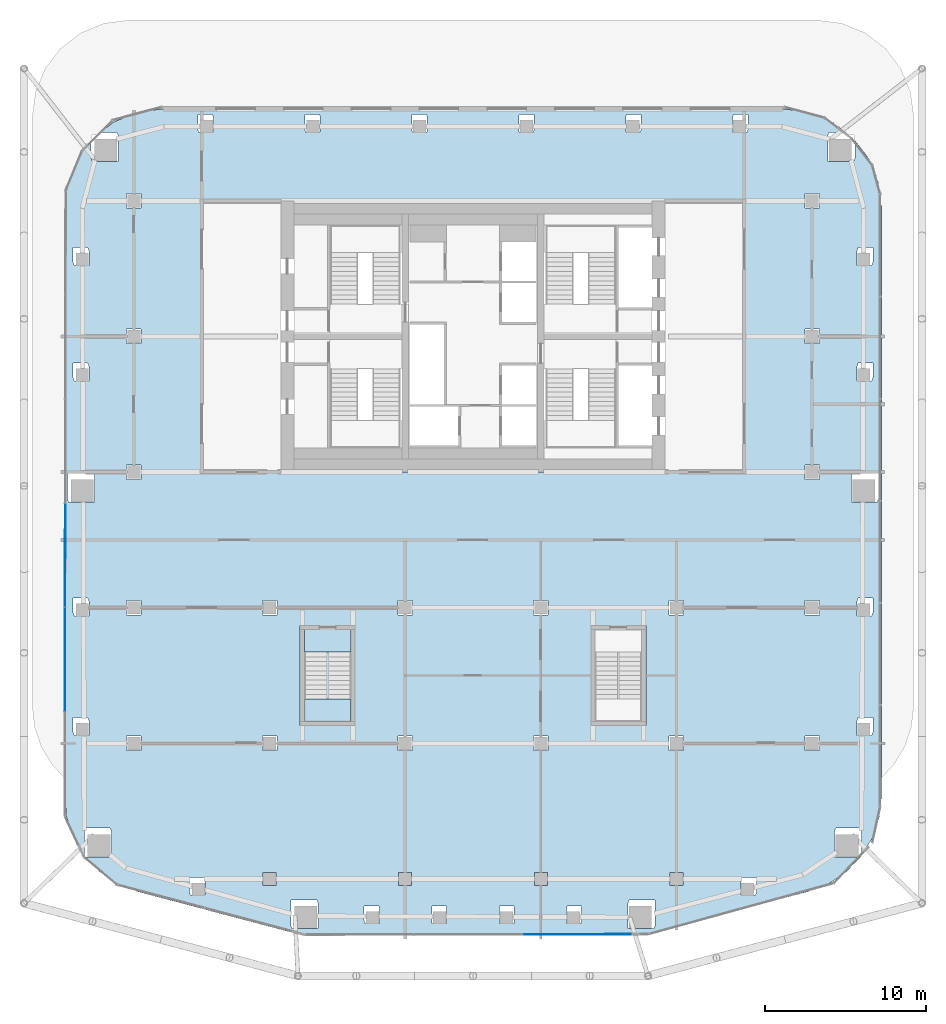
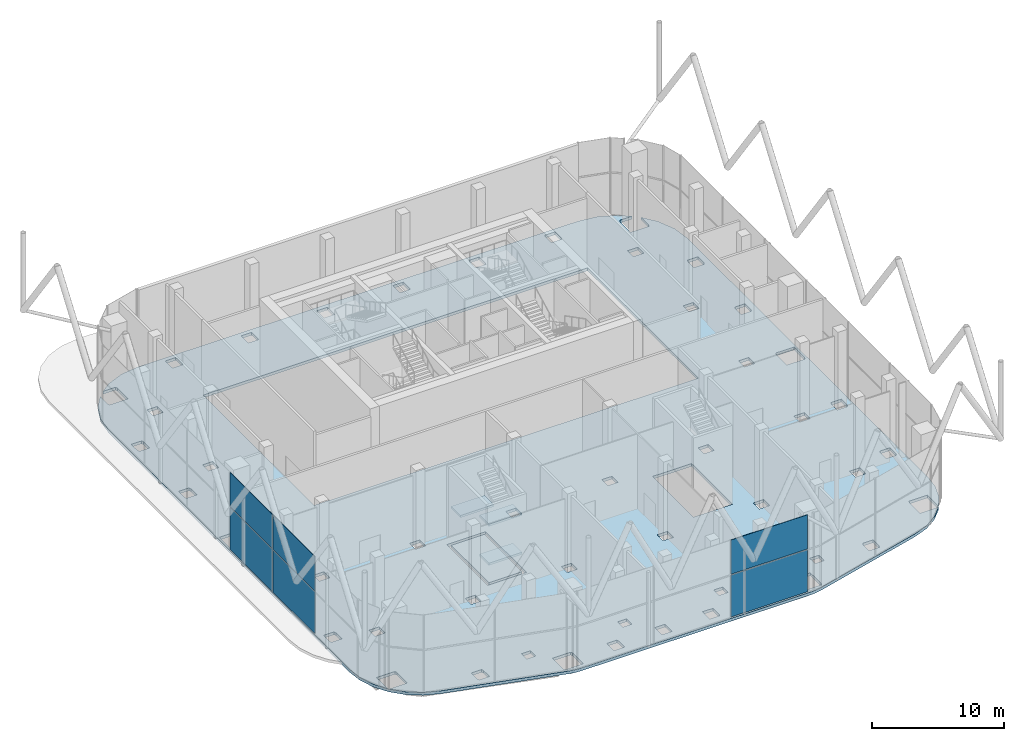
# One storey, part 14 of 25: 6 plates, 5 slabs, 3 elements without a shape of their own.
"""IFC4 building model written with IfcOpenShell, lengths in metres."""

from ifc_helpers import new_model, si_unit, direction, frame, origin, origin_2d, place, context, subcontext, project, spatial, polyline, rectangle, outline, extrude, material, layer, layer_set, type_object, element, aggregate, save


model = new_model("IFC4")

# Units and contexts
model_context = context("Model", 3, precision=1e-05, world=origin(), true_north=direction((0.0, 1.0)))
body_context = subcontext(model_context, "Body", "Model", "MODEL_VIEW")
ifc_project = project(units=[si_unit("LENGTHUNIT", "METRE"), si_unit("AREAUNIT", "SQUARE_METRE"), si_unit("VOLUMEUNIT", "CUBIC_METRE"), si_unit("PLANEANGLEUNIT", "RADIAN"), si_unit("MASSUNIT", "GRAM", prefix="KILO")], contexts=[model_context])

# Site, building, storey
site_placement = place(None, origin())
site = spatial("IfcSite", under=ifc_project, at=site_placement, CompositionType="ELEMENT")
building_placement = place(site_placement, origin())
building = spatial("IfcBuilding", under=site, at=building_placement, Name="Marenta Gate Hotel Tower", CompositionType="ELEMENT")
storey_placement = place(building_placement, frame((0.0, 0.0, 180.5)))
storey = spatial("IfcBuildingStorey", under=building, at=storey_placement, Name="L41", CompositionType="ELEMENT", Elevation=180.5)

# Slab
ifc_material_1 = material(Name="Concrete C35", Category="concrete")
ifc_layer_1 = layer(ifc_material_1, 0.260009765625)
ifc_layer_set_1 = layer_set([ifc_layer_1], Name="Concrete C35")
slab_type_1 = type_object("IfcSlabType", Name="Concrete floor slab 260", PredefinedType="FLOOR", material=ifc_layer_set_1)
slab_1_placement = place(storey_placement, frame((0.0, 0.0, -0.260009765625)))
element("IfcSlab", 1, at=slab_1_placement, inside=storey, type_object=slab_type_1, Name="L41-SL-1", PredefinedType="FLOOR", context=body_context, shape_type="SweptSolid", body=[
    extrude(outline(polyline([(-23.11376953125, -24.76416015625), (-24.035400390625, -23.803955078125), (-24.72705078125, -22.6669921875), (-25.155517578125, -21.4072265625), (-25.300048828125, -20.08984375), (-25.300048828125, 16.406494140625), (-25.093017578125, 17.97900390625), (-24.483642578125, 19.450439453125), (-23.644287109375, 20.5439453125), (-23.644287109375, 19.42578125), (-23.574462890625, 19.2392578125), (-21.974365234375, 19.2392578125), (-21.974365234375, 20.839111328125), (-22.04443359375, 21.02587890625), (-23.107421875, 21.02587890625), (-22.25048828125, 21.68359375), (-20.779052734375, 22.29296875), (-19.20654296875, 22.5), (19.20654296875, 22.5), (20.779052734375, 22.29296875), (22.25048828125, 21.68359375), (23.107421875, 21.02587890625), (22.04443359375, 21.02587890625), (21.974365234375, 20.839111328125), (21.974365234375, 19.2392578125), (23.574462890625, 19.2392578125), (23.644287109375, 19.42578125), (23.644287109375, 20.5439453125), (24.483642578125, 19.450439453125), (25.093017578125, 17.97900390625), (25.300048828125, 16.406494140625), (25.300048828125, -20.08984375), (25.155517578125, -21.4072265625), (24.72705078125, -22.6669921875), (24.035400390625, -23.803955078125), (23.11376953125, -24.76416015625), (22.005859375, -25.501220703125), (20.76953125, -25.978759765625), (11.026611328125, -28.563720703125), (10.508544921875, -28.665771484375), (9.981689453125, -28.699951171875), (-9.981689453125, -28.699951171875), (-10.508544921875, -28.665771484375), (-11.026611328125, -28.563720703125), (-20.76953125, -25.978759765625), (-22.005859375, -25.501220703125), (-23.11376953125, -24.76416015625)]), holes=[polyline([(-16.800048828125, 0.0), (16.800048828125, 0.0), (16.800048828125, 16.800048828125), (-16.800048828125, 16.800048828125), (-16.800048828125, 0.0)]), polyline([(-16.665771484375, -25.0986328125), (-17.565673828125, -25.0986328125), (-17.565673828125, -25.998779296875), (-17.49560546875, -26.185302734375), (-16.595703125, -26.185302734375), (-16.595703125, -25.285400390625), (-16.665771484375, -25.0986328125)]), polyline([(-12.199951171875, -25.60009765625), (-12.199951171875, -24.800048828125), (-13.0, -24.800048828125), (-13.0, -25.60009765625), (-12.199951171875, -25.60009765625)]), polyline([(-22.40185546875, -22.229248046875), (-22.471923828125, -22.042724609375), (-24.07177734375, -22.042724609375), (-24.07177734375, -23.642578125), (-24.001953125, -23.829345703125), (-22.40185546875, -23.829345703125), (-22.40185546875, -22.229248046875)]), polyline([(-12.14990234375, -16.35009765625), (-13.050048828125, -16.35009765625), (-13.050048828125, -17.25), (-12.14990234375, -17.25), (-12.14990234375, -16.35009765625)]), polyline([(-20.550048828125, -17.25), (-20.550048828125, -16.35009765625), (-21.449951171875, -16.35009765625), (-21.449951171875, -17.25), (-20.550048828125, -17.25)]), polyline([(-23.788818359375, -15.398193359375), (-23.85888671875, -15.21142578125), (-24.7587890625, -15.21142578125), (-24.7587890625, -16.111572265625), (-24.68896484375, -16.298095703125), (-23.788818359375, -16.298095703125), (-23.788818359375, -15.398193359375)]), polyline([(-20.550048828125, -7.949951171875), (-21.449951171875, -7.949951171875), (-21.449951171875, -8.85009765625), (-20.550048828125, -8.85009765625), (-20.550048828125, -7.949951171875)]), polyline([(-12.14990234375, -8.85009765625), (-12.14990234375, -7.949951171875), (-13.050048828125, -7.949951171875), (-13.050048828125, -8.85009765625), (-12.14990234375, -8.85009765625)]), polyline([(-23.788818359375, -7.997314453125), (-23.85888671875, -7.810546875), (-24.7587890625, -7.810546875), (-24.7587890625, -8.71044921875), (-24.68896484375, -8.897216796875), (-23.788818359375, -8.897216796875), (-23.788818359375, -7.997314453125)]), polyline([(-23.5087890625, -0.0595703125), (-25.10888671875, -0.0595703125), (-25.10888671875, -1.65966796875), (-25.038818359375, -1.84619140625), (-23.43896484375, -1.84619140625), (-23.43896484375, -0.246337890625), (-23.5087890625, -0.0595703125)]), polyline([(-20.550048828125, -0.449951171875), (-20.550048828125, 0.449951171875), (-21.449951171875, 0.449951171875), (-21.449951171875, -0.449951171875), (-20.550048828125, -0.449951171875)]), polyline([(-23.788818359375, 6.556884765625), (-23.85888671875, 6.74365234375), (-24.7587890625, 6.74365234375), (-24.7587890625, 5.843505859375), (-24.68896484375, 5.656982421875), (-23.788818359375, 5.656982421875), (-23.788818359375, 6.556884765625)]), polyline([(-20.550048828125, 8.85009765625), (-21.449951171875, 8.85009765625), (-21.449951171875, 7.949951171875), (-20.550048828125, 7.949951171875), (-20.550048828125, 8.85009765625)]), polyline([(-23.788818359375, 13.710205078125), (-23.85888671875, 13.896728515625), (-24.7587890625, 13.896728515625), (-24.7587890625, 12.996826171875), (-24.68896484375, 12.81005859375), (-23.788818359375, 12.81005859375), (-23.788818359375, 13.710205078125)]), polyline([(-20.550048828125, 16.35009765625), (-20.550048828125, 17.25), (-21.449951171875, 17.25), (-21.449951171875, 16.35009765625), (-20.550048828125, 16.35009765625)]), polyline([(-16.084716796875, 21.95361328125), (-16.134765625, 22.140380859375), (-17.03466796875, 22.140380859375), (-17.03466796875, 21.240478515625), (-16.984619140625, 21.0537109375), (-16.084716796875, 21.0537109375), (-16.084716796875, 21.95361328125)]), polyline([(-5.79345703125, -27.04638671875), (-5.83544921875, -26.859619140625), (-6.7353515625, -26.859619140625), (-6.7353515625, -27.759521484375), (-6.693359375, -27.9462890625), (-5.79345703125, -27.9462890625), (-5.79345703125, -27.04638671875)]), polyline([(6.7353515625, -26.859619140625), (5.83544921875, -26.859619140625), (5.79345703125, -27.04638671875), (5.79345703125, -27.9462890625), (6.693359375, -27.9462890625), (6.7353515625, -27.759521484375), (6.7353515625, -26.859619140625)]), polyline([(2.545166015625, -27.759521484375), (2.545166015625, -26.859619140625), (1.645263671875, -26.859619140625), (1.631103515625, -27.04638671875), (1.631103515625, -27.9462890625), (2.53125, -27.9462890625), (2.545166015625, -27.759521484375)]), polyline([(-1.631103515625, -27.04638671875), (-1.645263671875, -26.859619140625), (-2.545166015625, -26.859619140625), (-2.545166015625, -27.759521484375), (-2.53125, -27.9462890625), (-1.631103515625, -27.9462890625), (-1.631103515625, -27.04638671875)]), polyline([(-9.605224609375, -26.671142578125), (-9.67529296875, -26.484375), (-11.275146484375, -26.484375), (-11.275146484375, -28.08447265625), (-11.205078125, -28.27099609375), (-9.605224609375, -28.27099609375), (-9.605224609375, -26.671142578125)]), polyline([(11.275146484375, -28.08447265625), (11.275146484375, -26.484375), (9.67529296875, -26.484375), (9.605224609375, -26.671142578125), (9.605224609375, -28.27099609375), (11.205078125, -28.27099609375), (11.275146484375, -28.08447265625)]), polyline([(13.0, -25.60009765625), (13.0, -24.800048828125), (12.199951171875, -24.800048828125), (12.199951171875, -25.60009765625), (13.0, -25.60009765625)]), polyline([(4.60009765625, -25.60009765625), (4.60009765625, -24.800048828125), (3.800048828125, -24.800048828125), (3.800048828125, -25.60009765625), (4.60009765625, -25.60009765625)]), polyline([(-3.800048828125, -24.800048828125), (-4.60009765625, -24.800048828125), (-4.60009765625, -25.60009765625), (-3.800048828125, -25.60009765625), (-3.800048828125, -24.800048828125)]), polyline([(4.64990234375, -17.25), (4.64990234375, -16.35009765625), (3.75, -16.35009765625), (3.75, -17.25), (4.64990234375, -17.25)]), polyline([(-3.75, -17.25), (-3.75, -16.35009765625), (-4.64990234375, -16.35009765625), (-4.64990234375, -17.25), (-3.75, -17.25)]), polyline([(4.64990234375, -7.949951171875), (3.75, -7.949951171875), (3.75, -8.85009765625), (4.64990234375, -8.85009765625), (4.64990234375, -7.949951171875)]), polyline([(-3.75, -8.85009765625), (-3.75, -7.949951171875), (-4.64990234375, -7.949951171875), (-4.64990234375, -8.85009765625), (-3.75, -8.85009765625)]), polyline([(-2.85693359375, 21.95361328125), (-2.866943359375, 22.140380859375), (-3.766845703125, 22.140380859375), (-3.766845703125, 21.240478515625), (-3.7568359375, 21.0537109375), (-2.85693359375, 21.0537109375), (-2.85693359375, 21.95361328125)]), polyline([(3.766845703125, 22.140380859375), (2.866943359375, 22.140380859375), (2.85693359375, 21.95361328125), (2.85693359375, 21.0537109375), (3.7568359375, 21.0537109375), (3.766845703125, 21.240478515625), (3.766845703125, 22.140380859375)]), polyline([(10.40087890625, 21.240478515625), (10.40087890625, 22.140380859375), (9.500732421875, 22.140380859375), (9.470703125, 21.95361328125), (9.470703125, 21.0537109375), (10.370849609375, 21.0537109375), (10.40087890625, 21.240478515625)]), polyline([(-9.470703125, 21.95361328125), (-9.500732421875, 22.140380859375), (-10.40087890625, 22.140380859375), (-10.40087890625, 21.240478515625), (-10.370849609375, 21.0537109375), (-9.470703125, 21.0537109375), (-9.470703125, 21.95361328125)]), polyline([(17.565673828125, -25.0986328125), (16.665771484375, -25.0986328125), (16.595703125, -25.285400390625), (16.595703125, -26.185302734375), (17.49560546875, -26.185302734375), (17.565673828125, -25.998779296875), (17.565673828125, -25.0986328125)]), polyline([(24.07177734375, -23.642578125), (24.07177734375, -22.042724609375), (22.471923828125, -22.042724609375), (22.40185546875, -22.229248046875), (22.40185546875, -23.829345703125), (24.001953125, -23.829345703125), (24.07177734375, -23.642578125)]), polyline([(13.050048828125, -17.25), (13.050048828125, -16.35009765625), (12.14990234375, -16.35009765625), (12.14990234375, -17.25), (13.050048828125, -17.25)]), polyline([(21.449951171875, -16.35009765625), (20.550048828125, -16.35009765625), (20.550048828125, -17.25), (21.449951171875, -17.25), (21.449951171875, -16.35009765625)]), polyline([(24.7587890625, -16.111572265625), (24.7587890625, -15.21142578125), (23.85888671875, -15.21142578125), (23.788818359375, -15.398193359375), (23.788818359375, -16.298095703125), (24.68896484375, -16.298095703125), (24.7587890625, -16.111572265625)]), polyline([(13.050048828125, -8.85009765625), (13.050048828125, -7.949951171875), (12.14990234375, -7.949951171875), (12.14990234375, -8.85009765625), (13.050048828125, -8.85009765625)]), polyline([(21.449951171875, -7.949951171875), (20.550048828125, -7.949951171875), (20.550048828125, -8.85009765625), (21.449951171875, -8.85009765625), (21.449951171875, -7.949951171875)]), polyline([(24.7587890625, -8.71044921875), (24.7587890625, -7.810546875), (23.85888671875, -7.810546875), (23.788818359375, -7.997314453125), (23.788818359375, -8.897216796875), (24.68896484375, -8.897216796875), (24.7587890625, -8.71044921875)]), polyline([(25.10888671875, -1.65966796875), (25.10888671875, -0.0595703125), (23.5087890625, -0.0595703125), (23.43896484375, -0.246337890625), (23.43896484375, -1.84619140625), (25.038818359375, -1.84619140625), (25.10888671875, -1.65966796875)]), polyline([(21.449951171875, 0.449951171875), (20.550048828125, 0.449951171875), (20.550048828125, -0.449951171875), (21.449951171875, -0.449951171875), (21.449951171875, 0.449951171875)]), polyline([(24.7587890625, 5.843505859375), (24.7587890625, 6.74365234375), (23.85888671875, 6.74365234375), (23.788818359375, 6.556884765625), (23.788818359375, 5.656982421875), (24.68896484375, 5.656982421875), (24.7587890625, 5.843505859375)]), polyline([(21.449951171875, 7.949951171875), (21.449951171875, 8.85009765625), (20.550048828125, 8.85009765625), (20.550048828125, 7.949951171875), (21.449951171875, 7.949951171875)]), polyline([(24.7587890625, 12.996826171875), (24.7587890625, 13.896728515625), (23.85888671875, 13.896728515625), (23.788818359375, 13.710205078125), (23.788818359375, 12.81005859375), (24.68896484375, 12.81005859375), (24.7587890625, 12.996826171875)]), polyline([(21.449951171875, 16.35009765625), (21.449951171875, 17.25), (20.550048828125, 17.25), (20.550048828125, 16.35009765625), (21.449951171875, 16.35009765625)]), polyline([(17.03466796875, 21.240478515625), (17.03466796875, 22.140380859375), (16.134765625, 22.140380859375), (16.084716796875, 21.95361328125), (16.084716796875, 21.0537109375), (16.984619140625, 21.0537109375), (17.03466796875, 21.240478515625)]), polyline([(-7.300048828125, -15.699951171875), (-7.300048828125, -9.5), (-10.699951171875, -9.5), (-10.699951171875, -15.699951171875), (-7.300048828125, -15.699951171875)]), polyline([(10.699951171875, -15.699951171875), (10.699951171875, -9.5), (7.300048828125, -9.5), (7.300048828125, -15.699951171875), (10.699951171875, -15.699951171875)])]), origin(), (0.0, 0.0, 1.0), 0.260009765625),
])

# Curtain wall, plates
ifc_material_2 = material(Name="Tinted insulated glass in bronze anodised frame", Category="glass")
ifc_layer_2 = layer(ifc_material_2, 0.1298828125)
ifc_layer_set_2 = layer_set([ifc_layer_2], Name="Tinted insulated glass in bronze anodised frame")
curtain_wall_type = type_object("IfcCurtainWallType", Name="Sky lobby glazing CW2", PredefinedType="NOTDEFINED", material=ifc_layer_set_2)
curtain_wall_1_placement = place(storey_placement, origin())
curtain_wall_1 = element("IfcCurtainWall", 2, at=curtain_wall_1_placement, inside=storey, type_object=curtain_wall_type, Name="CW2 run G04", PredefinedType="NOTDEFINED")
ifc_material_3 = material(Name="Tinted insulated glass", Category="glass")
ifc_layer_3 = layer(ifc_material_3, 0.033935546875)
ifc_layer_set_3 = layer_set([ifc_layer_3], Name="Tinted insulated glass")
plate_type = type_object("IfcPlateType", Name="Glass panel CW2 34 mm tinted insulated unit", PredefinedType="CURTAIN_PANEL", material=ifc_layer_set_3)
plate_1_placement = place(storey_placement, frame((-25.252685546875, -5.14404296875, 0.080078125), z_axis=(0.0, 0.0, 1.0), x_axis=(-0.001565960706, -0.999998773883, 0.0)))
plate_1 = element("IfcPlate", 3, at=plate_1_placement, type_object=plate_type, Name="CW2 panel 4.1", PredefinedType="CURTAIN_PANEL", context=body_context, shape_type="SweptSolid", body=[
    extrude(rectangle(XDim=6.38037109375, YDim=0.033935546875, at=origin_2d()), origin(), (0.0, 0.0, 1.0), 3.8798828125),
])
plate_2_placement = place(storey_placement, frame((-25.252685546875, -5.14404296875, 4.0400390625), z_axis=(0.0, 0.0, 1.0), x_axis=(-0.001565960706, -0.999998773883, 0.0)))
plate_2 = element("IfcPlate", 4, at=plate_2_placement, type_object=plate_type, Name="CW2 panel 4.2", PredefinedType="CURTAIN_PANEL", context=body_context, shape_type="SweptSolid", body=[
    extrude(rectangle(XDim=6.38037109375, YDim=0.033935546875, at=origin_2d()), origin(), (0.0, 0.0, 1.0), 3.159912109375),
])
plate_3_placement = place(storey_placement, frame((-25.262939453125, -11.6044921875, 0.080078125), z_axis=(0.0, 0.0, 1.0), x_axis=(-0.001565960706, -0.999998773883, 0.0)))
plate_3 = element("IfcPlate", 5, at=plate_3_placement, type_object=plate_type, Name="CW2 panel 5.1", PredefinedType="CURTAIN_PANEL", context=body_context, shape_type="SweptSolid", body=[
    extrude(rectangle(XDim=6.38037109375, YDim=0.033935546875, at=origin_2d()), origin(), (0.0, 0.0, 1.0), 3.8798828125),
])
plate_4_placement = place(storey_placement, frame((-25.262939453125, -11.6044921875, 4.0400390625), z_axis=(0.0, 0.0, 1.0), x_axis=(-0.001565960706, -0.999998773883, 0.0)))
plate_4 = element("IfcPlate", 6, at=plate_4_placement, type_object=plate_type, Name="CW2 panel 5.2", PredefinedType="CURTAIN_PANEL", context=body_context, shape_type="SweptSolid", body=[
    extrude(rectangle(XDim=6.38037109375, YDim=0.033935546875, at=origin_2d()), origin(), (0.0, 0.0, 1.0), 3.159912109375),
])
aggregate(curtain_wall_1, [plate_1, plate_2, plate_3, plate_4])

curtain_wall_2_placement = place(storey_placement, origin())
curtain_wall_2 = element("IfcCurtainWall", 7, at=curtain_wall_2_placement, inside=storey, type_object=curtain_wall_type, Name="CW2 run G12", PredefinedType="NOTDEFINED")
plate_5_placement = place(storey_placement, frame((6.44921875, -28.624755859375, 0.080078125), z_axis=(0.0, 0.0, 1.0), x_axis=(0.999998649752, 0.001643318084, 0.0)))
plate_5 = element("IfcPlate", 8, at=plate_5_placement, type_object=plate_type, Name="CW2 panel 3.1", PredefinedType="CURTAIN_PANEL", context=body_context, shape_type="SweptSolid", body=[
    extrude(rectangle(XDim=6.6943359375, YDim=0.033935546875, at=origin_2d()), origin(), (0.0, 0.0, 1.0), 3.8798828125),
])
plate_6_placement = place(storey_placement, frame((6.44921875, -28.624755859375, 4.0400390625), z_axis=(0.0, 0.0, 1.0), x_axis=(0.999998649752, 0.001643318084, 0.0)))
plate_6 = element("IfcPlate", 9, at=plate_6_placement, type_object=plate_type, Name="CW2 panel 3.2", PredefinedType="CURTAIN_PANEL", context=body_context, shape_type="SweptSolid", body=[
    extrude(rectangle(XDim=6.6943359375, YDim=0.033935546875, at=origin_2d()), origin(), (0.0, 0.0, 1.0), 3.159912109375),
])
aggregate(curtain_wall_2, [plate_5, plate_6])

# Stair, slabs
ifc_material_4 = material(Name="Concrete C40", Category="concrete")
stair_type = type_object("IfcStairType", Name="Remote exit stair 1400 wide", PredefinedType="HALF_TURN_STAIR", material=ifc_material_4)
stair_placement = place(storey_placement, origin())
stair = element("IfcStair", 10, at=stair_placement, inside=storey, type_object=stair_type, Name="Exit stair RS-Z3-1", PredefinedType="HALF_TURN_STAIR")
ifc_material_5 = material(Name="Concrete C40", Category="concrete")
ifc_layer_4 = layer(ifc_material_5, 0.199951171875)
ifc_layer_set_4 = layer_set([ifc_layer_4], Name="Concrete C40")
slab_type_2 = type_object("IfcSlabType", Name="Remote stair landing 200", PredefinedType="LANDING", material=ifc_layer_set_4)
slab_2_placement = place(storey_placement, frame((0.0, 0.0, 1.60009765625)))
slab_2 = element("IfcSlab", 11, at=slab_2_placement, type_object=slab_type_2, Name="RL-200 RS-Z3-1 landing 1", PredefinedType="LANDING", context=body_context, shape_type="SweptSolid", body=[
    extrude(outline(polyline([(-10.449951171875, -15.449951171875), (-7.550048828125, -15.449951171875), (-7.550048828125, -14.050048828125), (-10.449951171875, -14.050048828125), (-10.449951171875, -15.449951171875)])), origin(), (0.0, 0.0, 1.0), 0.199951171875),
])
slab_3_placement = place(storey_placement, frame((0.0, 0.0, 3.39990234375)))
slab_3 = element("IfcSlab", 12, at=slab_3_placement, type_object=slab_type_2, Name="RL-200 RS-Z3-1 landing 2", PredefinedType="LANDING", context=body_context, shape_type="SweptSolid", body=[
    extrude(outline(polyline([(-10.449951171875, -11.14990234375), (-7.550048828125, -11.14990234375), (-7.550048828125, -9.75), (-10.449951171875, -9.75), (-10.449951171875, -11.14990234375)])), origin(), (0.0, 0.0, 1.0), 0.2001953125),
])
slab_4_placement = place(storey_placement, frame((0.0, 0.0, 5.199951171875)))
slab_4 = element("IfcSlab", 13, at=slab_4_placement, type_object=slab_type_2, Name="RL-200 RS-Z3-1 landing 3", PredefinedType="LANDING", context=body_context, shape_type="SweptSolid", body=[
    extrude(outline(polyline([(-10.449951171875, -15.449951171875), (-7.550048828125, -15.449951171875), (-7.550048828125, -14.050048828125), (-10.449951171875, -14.050048828125), (-10.449951171875, -15.449951171875)])), origin(), (0.0, 0.0, 1.0), 0.199951171875),
])
aggregate(stair, [slab_2, slab_3, slab_4])

# Slab
ifc_material_6 = material(Name="Concrete C40", Category="concrete")
ifc_layer_5 = layer(ifc_material_6, 0.300048828125)
ifc_layer_set_5 = layer_set([ifc_layer_5], Name="Concrete C40")
slab_type_3 = type_object("IfcSlabType", Name="Stair floor landing slab 300", PredefinedType="FLOOR", material=ifc_layer_set_5)
slab_5_placement = place(storey_placement, frame((0.0, 0.0, -0.260009765625)))
element("IfcSlab", 14, at=slab_5_placement, inside=storey, type_object=slab_type_3, Name="L41-RS-Z3-1-CL", PredefinedType="FLOOR", context=body_context, shape_type="SweptSolid", body=[
    extrude(outline(polyline([(-7.550048828125, -15.449951171875), (-7.550048828125, -9.75), (-10.449951171875, -9.75), (-10.449951171875, -15.449951171875), (-7.550048828125, -15.449951171875)])), origin(), (0.0, 0.0, 1.0), 0.260009765625),
])

save(model, "model.ifc")
